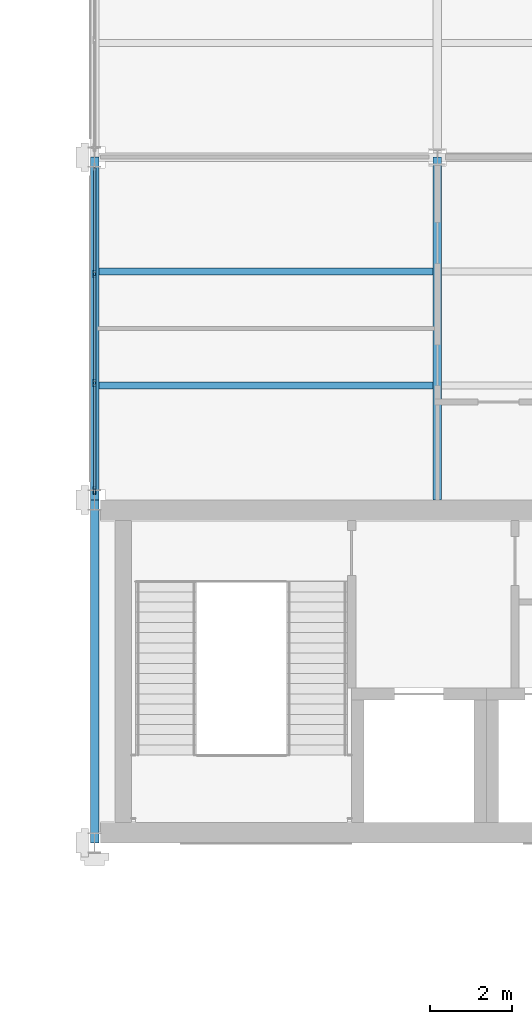
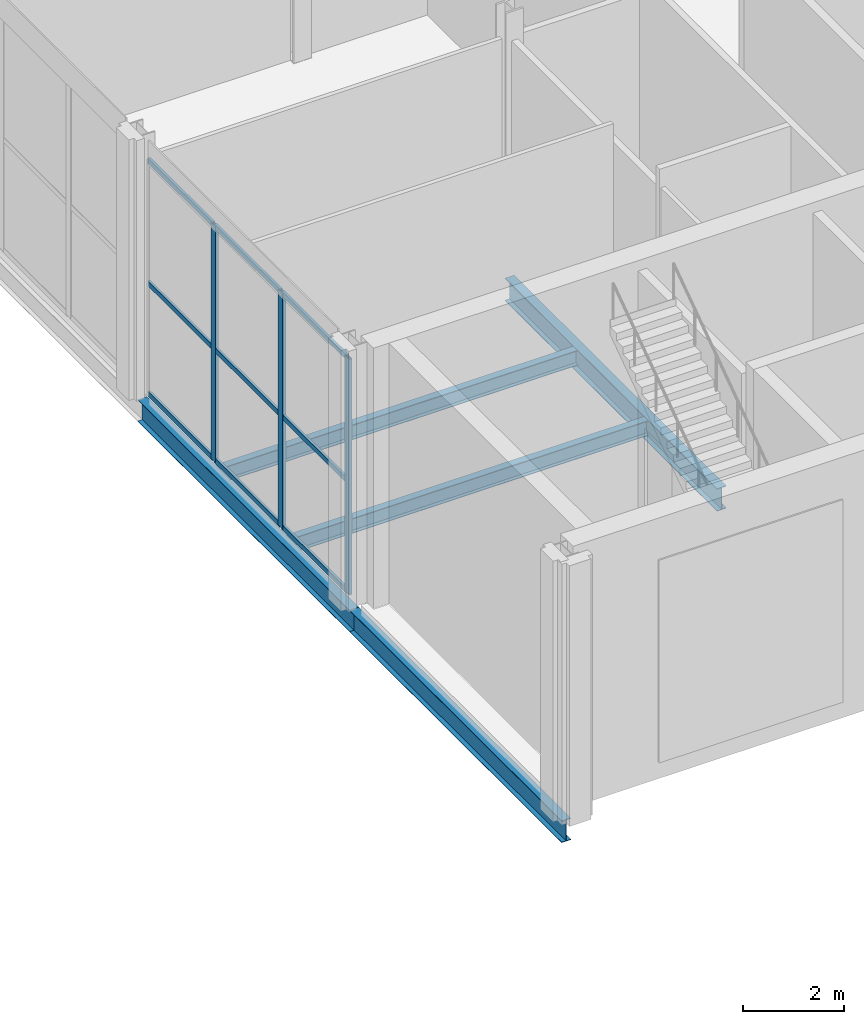
# One storey, part 27 of 77: 12 members, 5 beams, 1 element without a shape of its own.
"""IFC4 building model written with IfcOpenShell, lengths in metres."""

from ifc_helpers import new_model, si_unit, direction, frame, origin, origin_2d, place, context, subcontext, project, spatial, hollow_rectangle, i_section, extrude, material, material_profile, profile_set, type_object, element, aggregate, save


model = new_model("IFC4")

# Units and contexts
model_context = context("Model", 3, precision=1e-05, world=origin(), true_north=direction((0.0, 1.0)))
body_context = subcontext(model_context, "Body", "Model", "MODEL_VIEW")
ifc_project = project(units=[si_unit("LENGTHUNIT", "METRE"), si_unit("AREAUNIT", "SQUARE_METRE"), si_unit("VOLUMEUNIT", "CUBIC_METRE"), si_unit("PLANEANGLEUNIT", "RADIAN"), si_unit("MASSUNIT", "GRAM", prefix="KILO")], contexts=[model_context])

# Site, building, storey
site_placement = place(None, origin())
site = spatial("IfcSite", under=ifc_project, at=site_placement, CompositionType="ELEMENT")
building_placement = place(site_placement, origin())
building = spatial("IfcBuilding", under=site, at=building_placement, Name="Catenary Quay Ferry Terminal", CompositionType="ELEMENT")
storey_placement = place(building_placement, frame((0.0, 0.0, 10.800048828125)))
storey = spatial("IfcBuildingStorey", under=building, at=storey_placement, Name="L02", CompositionType="ELEMENT", Elevation=10.800048828125)

# Beams
ifc_material_1 = material(Name="Steel S355", Category="steel")
ifc_material_profile_1 = material_profile(ifc_material_1, i_section(OverallWidth=0.208740234375, OverallDepth=0.5283203125, WebThickness=0.009521484375, FlangeThickness=0.01318359375, at=origin_2d()), Name="UB 533x210x82")
ifc_profile_set_1 = profile_set([ifc_material_profile_1], Name="Steel S355")
beam_type_1 = type_object("IfcBeamType", Name="B5 UB 533x210x82", PredefinedType="BEAM", material=ifc_profile_set_1)
for number, where, z_axis, x_axis, name in (
    (1, (25.199951171875, 159.60009765625, -0.51416015625), (0.0, 1.0, 0.0), (-1.0, 0.0, 0.0), "Beam B5-024"),
    (2, (25.199951171875, 168.0, -0.51416015625), (0.0, 1.0, 0.0), (-1.0, 0.0, 0.0), "Beam B5-025"),
):
    element("IfcBeam", number, at=place(storey_placement, frame(where, z_axis=z_axis, x_axis=x_axis)), inside=storey, type_object=beam_type_1, Name=name, PredefinedType="BEAM", context=body_context, shape_type="SweptSolid", body=[
        extrude(i_section(OverallWidth=0.208740234375, OverallDepth=0.5283203125, WebThickness=0.009521484375, FlangeThickness=0.01318359375, at=origin_2d()), origin(), (0.0, 0.0, 1.0), 8.39990234375),
    ])
ifc_material_2 = material(Name="Steel S355", Category="steel")
ifc_material_profile_2 = material_profile(ifc_material_2, i_section(OverallWidth=0.2099609375, OverallDepth=0.550048828125, WebThickness=0.010986328125, FlangeThickness=0.01708984375, at=origin_2d()), Name="IPE 550")
ifc_profile_set_2 = profile_set([ifc_material_profile_2], Name="Steel S355")
beam_type_2 = type_object("IfcBeamType", Name="B6 IPE 550", PredefinedType="BEAM", material=ifc_profile_set_2)
beam_placement = place(storey_placement, frame((33.60009765625, 168.0, -0.525146484375), z_axis=(0.0, 1.0, 0.0), x_axis=(-1.0, 0.0, 0.0)))
element("IfcBeam", 3, at=beam_placement, inside=storey, type_object=beam_type_2, Name="Beam B6-001", PredefinedType="BEAM", context=body_context, shape_type="SweptSolid", body=[
    extrude(i_section(OverallWidth=0.2099609375, OverallDepth=0.550048828125, WebThickness=0.010986328125, FlangeThickness=0.01708984375, at=origin_2d()), origin(), (0.0, 0.0, 1.0), 8.39990234375),
])
ifc_material_3 = material(Name="Steel S355", Category="steel")
ifc_material_profile_3 = material_profile(ifc_material_3, i_section(OverallWidth=0.169921875, OverallDepth=0.360107421875, WebThickness=0.008056640625, FlangeThickness=0.0126953125, at=origin_2d()), Name="IPE 360")
ifc_profile_set_3 = profile_set([ifc_material_profile_3], Name="Steel S355")
beam_type_3 = type_object("IfcBeamType", Name="B7 IPE 360", PredefinedType="BEAM", material=ifc_profile_set_3)
for number, where, z_axis, x_axis, name in (
    (4, (25.303955078125, 170.800048828125, -0.429931640625), (1.0, 0.0, 0.0), (0.0, 1.0, 0.0), "Beam B7-005"),
    (5, (25.303955078125, 173.60009765625, -0.429931640625), (1.0, 0.0, 0.0), (0.0, 1.0, 0.0), "Beam B7-010"),
):
    element("IfcBeam", number, at=place(storey_placement, frame(where, z_axis=z_axis, x_axis=x_axis)), inside=storey, type_object=beam_type_3, Name=name, PredefinedType="BEAM", context=body_context, shape_type="SweptSolid", body=[
        extrude(i_section(OverallWidth=0.169921875, OverallDepth=0.360107421875, WebThickness=0.008056640625, FlangeThickness=0.0126953125, at=origin_2d()), origin(), (0.0, 0.0, 1.0), 8.191162109375),
    ])

# Curtain wall, members
ifc_material_4 = material(Name="Aluminium and glass", Category="aluminium")
curtain_wall_type = type_object("IfcCurtainWallType", Name="CWW2", PredefinedType="NOTDEFINED", material=ifc_material_4)
curtain_wall_placement = place(storey_placement, origin())
curtain_wall = element("IfcCurtainWall", 6, at=curtain_wall_placement, inside=storey, type_object=curtain_wall_type, Name="Wing curtain wall CW138", PredefinedType="NOTDEFINED")
ifc_material_5 = material(Name="Aluminium", Category="aluminium")
ifc_material_profile_4 = material_profile(ifc_material_5, hollow_rectangle(XDim=0.070068359375, YDim=0.179931640625, WallThickness=0.006103515625, at=origin_2d()), Name="MU3")
ifc_profile_set_4 = profile_set([ifc_material_profile_4], Name="Aluminium")
member_type_1 = type_object("IfcMemberType", Name="MU3", PredefinedType="MULLION", material=ifc_profile_set_4)
member_1_placement = place(storey_placement, frame((25.199951171875, 168.235107421875, 0.0), z_axis=(0.0, 0.0, 1.0), x_axis=(-1.0, 0.0, 0.0)))
member_1 = element("IfcMember", 7, at=member_1_placement, type_object=member_type_1, Name="CW138 mullion 1", PredefinedType="MULLION", context=body_context, shape_type="SweptSolid", body=[
    extrude(hollow_rectangle(XDim=0.070068359375, YDim=0.179931640625, WallThickness=0.006103515625, at=origin_2d()), origin(), (0.0, 0.0, 1.0), 5.699951171875),
])
member_2_placement = place(storey_placement, frame((25.199951171875, 170.86669921875, 0.0), z_axis=(0.0, 0.0, 1.0), x_axis=(-1.0, 0.0, 0.0)))
member_2 = element("IfcMember", 8, at=member_2_placement, type_object=member_type_1, Name="CW138 mullion 2", PredefinedType="MULLION", context=body_context, shape_type="SweptSolid", body=[
    extrude(hollow_rectangle(XDim=0.070068359375, YDim=0.179931640625, WallThickness=0.006103515625, at=origin_2d()), origin(), (0.0, 0.0, 1.0), 5.699951171875),
])
member_3_placement = place(storey_placement, frame((25.199951171875, 173.533447265625, 0.0), z_axis=(0.0, 0.0, 1.0), x_axis=(-1.0, 0.0, 0.0)))
member_3 = element("IfcMember", 9, at=member_3_placement, type_object=member_type_1, Name="CW138 mullion 3", PredefinedType="MULLION", context=body_context, shape_type="SweptSolid", body=[
    extrude(hollow_rectangle(XDim=0.070068359375, YDim=0.179931640625, WallThickness=0.006103515625, at=origin_2d()), origin(), (0.0, 0.0, 1.0), 5.699951171875),
])
ifc_material_6 = material(Name="Aluminium", Category="aluminium")
ifc_material_profile_5 = material_profile(ifc_material_6, hollow_rectangle(XDim=0.06005859375, YDim=0.1201171875, WallThickness=0.0048828125, at=origin_2d()), Name="TR3")
ifc_profile_set_5 = profile_set([ifc_material_profile_5], Name="Aluminium")
member_type_2 = type_object("IfcMemberType", Name="TR3", PredefinedType="USERDEFINED", material=ifc_profile_set_5)
member_4_placement = place(storey_placement, frame((25.199951171875, 168.27001953125, 0.030029296875), z_axis=(0.0, 1.0, 0.0), x_axis=(-1.0, 0.0, 0.0)))
member_4 = element("IfcMember", 10, at=member_4_placement, type_object=member_type_2, Name="CW138 transom 1.1", ObjectType="TRANSOM", PredefinedType="USERDEFINED", context=body_context, shape_type="SweptSolid", body=[
    extrude(hollow_rectangle(XDim=0.06005859375, YDim=0.1201171875, WallThickness=0.0048828125, at=origin_2d()), origin(), (0.0, 0.0, 1.0), 2.561767578125),
])
member_5_placement = place(storey_placement, frame((25.199951171875, 168.27001953125, 2.699951171875), z_axis=(0.0, 1.0, 0.0), x_axis=(-1.0, 0.0, 0.0)))
member_5 = element("IfcMember", 11, at=member_5_placement, type_object=member_type_2, Name="CW138 transom 1.2", ObjectType="TRANSOM", PredefinedType="USERDEFINED", context=body_context, shape_type="SweptSolid", body=[
    extrude(hollow_rectangle(XDim=0.06005859375, YDim=0.1201171875, WallThickness=0.0048828125, at=origin_2d()), origin(), (0.0, 0.0, 1.0), 2.561767578125),
])
member_6_placement = place(storey_placement, frame((25.199951171875, 168.27001953125, 5.669921875), z_axis=(0.0, 1.0, 0.0), x_axis=(-1.0, 0.0, 0.0)))
member_6 = element("IfcMember", 12, at=member_6_placement, type_object=member_type_2, Name="CW138 transom 1.3", ObjectType="TRANSOM", PredefinedType="USERDEFINED", context=body_context, shape_type="SweptSolid", body=[
    extrude(hollow_rectangle(XDim=0.06005859375, YDim=0.1201171875, WallThickness=0.0048828125, at=origin_2d()), origin(), (0.0, 0.0, 1.0), 2.561767578125),
])
member_7_placement = place(storey_placement, frame((25.199951171875, 170.901611328125, 0.030029296875), z_axis=(0.0, 1.0, 0.0), x_axis=(-1.0, 0.0, 0.0)))
member_7 = element("IfcMember", 13, at=member_7_placement, type_object=member_type_2, Name="CW138 transom 2.1", ObjectType="TRANSOM", PredefinedType="USERDEFINED", context=body_context, shape_type="SweptSolid", body=[
    extrude(hollow_rectangle(XDim=0.06005859375, YDim=0.1201171875, WallThickness=0.0048828125, at=origin_2d()), origin(), (0.0, 0.0, 1.0), 2.5966796875),
])
member_8_placement = place(storey_placement, frame((25.199951171875, 170.901611328125, 2.699951171875), z_axis=(0.0, 1.0, 0.0), x_axis=(-1.0, 0.0, 0.0)))
member_8 = element("IfcMember", 14, at=member_8_placement, type_object=member_type_2, Name="CW138 transom 2.2", ObjectType="TRANSOM", PredefinedType="USERDEFINED", context=body_context, shape_type="SweptSolid", body=[
    extrude(hollow_rectangle(XDim=0.06005859375, YDim=0.1201171875, WallThickness=0.0048828125, at=origin_2d()), origin(), (0.0, 0.0, 1.0), 2.5966796875),
])
member_9_placement = place(storey_placement, frame((25.199951171875, 170.901611328125, 5.669921875), z_axis=(0.0, 1.0, 0.0), x_axis=(-1.0, 0.0, 0.0)))
member_9 = element("IfcMember", 15, at=member_9_placement, type_object=member_type_2, Name="CW138 transom 2.3", ObjectType="TRANSOM", PredefinedType="USERDEFINED", context=body_context, shape_type="SweptSolid", body=[
    extrude(hollow_rectangle(XDim=0.06005859375, YDim=0.1201171875, WallThickness=0.0048828125, at=origin_2d()), origin(), (0.0, 0.0, 1.0), 2.5966796875),
])
member_10_placement = place(storey_placement, frame((25.199951171875, 173.568359375, 0.030029296875), z_axis=(0.0, 1.0, 0.0), x_axis=(-1.0, 0.0, 0.0)))
member_10 = element("IfcMember", 16, at=member_10_placement, type_object=member_type_2, Name="CW138 transom 3.1", ObjectType="TRANSOM", PredefinedType="USERDEFINED", context=body_context, shape_type="SweptSolid", body=[
    extrude(hollow_rectangle(XDim=0.06005859375, YDim=0.1201171875, WallThickness=0.0048828125, at=origin_2d()), origin(), (0.0, 0.0, 1.0), 2.5615234375),
])
member_11_placement = place(storey_placement, frame((25.199951171875, 173.568359375, 2.699951171875), z_axis=(0.0, 1.0, 0.0), x_axis=(-1.0, 0.0, 0.0)))
member_11 = element("IfcMember", 17, at=member_11_placement, type_object=member_type_2, Name="CW138 transom 3.2", ObjectType="TRANSOM", PredefinedType="USERDEFINED", context=body_context, shape_type="SweptSolid", body=[
    extrude(hollow_rectangle(XDim=0.06005859375, YDim=0.1201171875, WallThickness=0.0048828125, at=origin_2d()), origin(), (0.0, 0.0, 1.0), 2.5615234375),
])
member_12_placement = place(storey_placement, frame((25.199951171875, 173.568359375, 5.669921875), z_axis=(0.0, 1.0, 0.0), x_axis=(-1.0, 0.0, 0.0)))
member_12 = element("IfcMember", 18, at=member_12_placement, type_object=member_type_2, Name="CW138 transom 3.3", ObjectType="TRANSOM", PredefinedType="USERDEFINED", context=body_context, shape_type="SweptSolid", body=[
    extrude(hollow_rectangle(XDim=0.06005859375, YDim=0.1201171875, WallThickness=0.0048828125, at=origin_2d()), origin(), (0.0, 0.0, 1.0), 2.5615234375),
])
aggregate(curtain_wall, [member_1, member_2, member_3, member_4, member_5, member_6, member_7, member_8, member_9, member_10, member_11, member_12])

save(model, "model.ifc")
